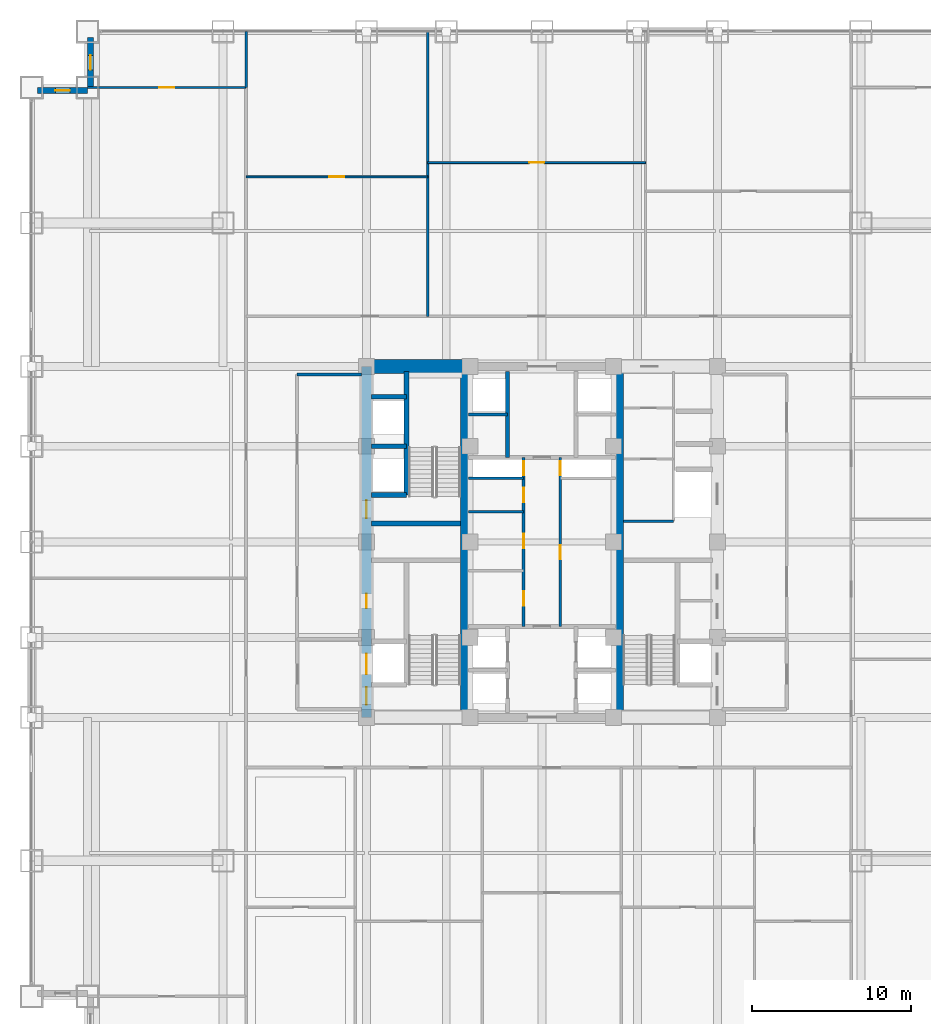
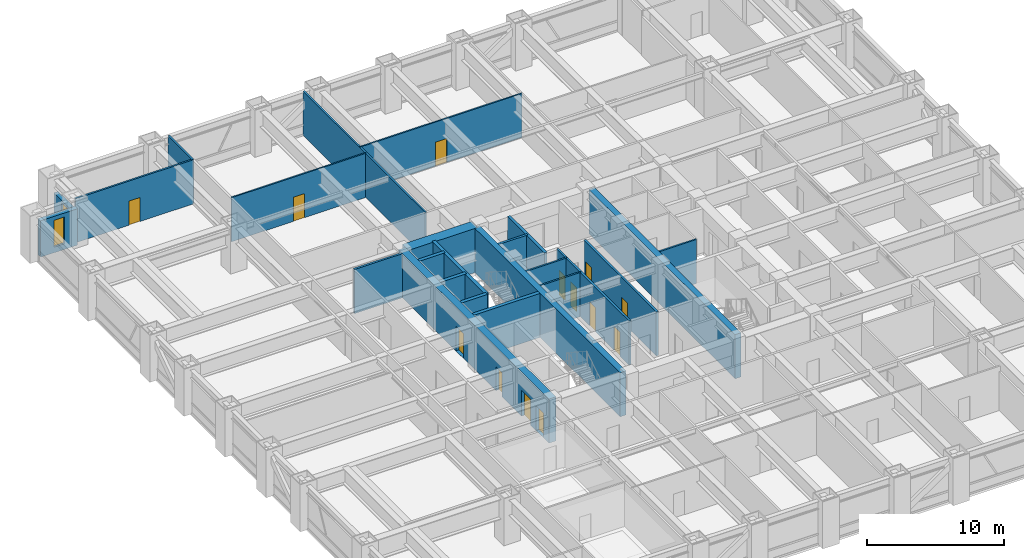
# One storey, part 25 of 29: 24 walls, 13 doors, 2 windows, 15 openings.
"""IFC4 building model written with IfcOpenShell, lengths in metres."""

from ifc_helpers import new_model, si_unit, direction, frame, frame_2d, origin, place, context, subcontext, project, spatial, rectangle, extrude, source, transform, mapped, material, layer, layer_set, type_object, element, fill, save


model = new_model("IFC4")

# Units and contexts
model_context = context("Model", 3, precision=1e-05, world=origin(), true_north=direction((0.0, 1.0)))
body_context = subcontext(model_context, "Body", "Model", "MODEL_VIEW")
ifc_project = project(units=[si_unit("LENGTHUNIT", "METRE"), si_unit("AREAUNIT", "SQUARE_METRE"), si_unit("VOLUMEUNIT", "CUBIC_METRE"), si_unit("PLANEANGLEUNIT", "RADIAN"), si_unit("MASSUNIT", "GRAM", prefix="KILO")], contexts=[model_context])

# Site, building, storey
site_placement = place(None, origin())
site = spatial("IfcSite", under=ifc_project, at=site_placement, CompositionType="ELEMENT")
building_placement = place(site_placement, origin())
building = spatial("IfcBuilding", under=site, at=building_placement, Name="Khorayat Bourse Tower", CompositionType="ELEMENT")
storey_placement = place(building_placement, frame((0.0, 0.0, 87.199951171875)))
storey = spatial("IfcBuildingStorey", under=building, at=storey_placement, Name="L19", CompositionType="ELEMENT", Elevation=87.199951171875)

# Wall, openings, doors
ifc_material_1 = material(Name="Concrete C60/75", Category="concrete")
ifc_layer_1 = layer(ifc_material_1, 0.60009765625)
ifc_layer_set_1 = layer_set([ifc_layer_1], Name="Concrete C60/75")
wall_type_1 = type_object("IfcWallType", Name="WAL-CORE-600", PredefinedType="SHEAR", material=ifc_layer_set_1)
shared_shape_1 = source(origin(), body_context, "Body", "SweptSolid", [
    extrude(rectangle(XDim=22.0, YDim=0.60009765625, at=frame_2d((11.0, 0.0))), origin(), (0.0, 0.0, 1.0), 3.93994140625),
])
wall_1_placement = place(storey_placement, frame((-11.0, -11.0, 0.0), z_axis=(0.0, 0.0, 1.0), x_axis=(0.0, 1.0, 0.0)))
wall_1 = element("IfcWall", 1, at=wall_1_placement, inside=storey, type_object=wall_type_1, Name="L19 Core Shear Wall CORE-W", PredefinedType="SHEAR", context=body_context, shape_type="MappedRepresentation", body=[
    mapped(shared_shape_1, transform((0.0, 0.0, 0.0), scale=1.0)),
])
shared_shape_2 = source(origin(), body_context, "Body", "SweptSolid", [
    extrude(rectangle(XDim=1.10009765625, YDim=2.199951171875, at=frame_2d((0.550048828125, 1.10009765625))), frame((0.0, 0.31005859375, 0.0), z_axis=(0.0, -1.0, 0.0), x_axis=(1.0, 0.0, 0.0)), (0.0, 0.0, 1.0), 0.6201171875),
])
opening_1_placement = place(wall_1_placement, frame((0.800048828125, 0.0, 0.0)))
opening_1 = element("IfcOpeningElement", 2, at=opening_1_placement, cuts=wall_1, Name="Opening DI-01", PredefinedType="OPENING", context=body_context, shape_type="MappedRepresentation", body=[
    mapped(shared_shape_2, transform((0.0, 0.0, 0.0), scale=1.0)),
])
opening_2_placement = place(wall_1_placement, frame((12.5, 0.0, 0.0)))
opening_2 = element("IfcOpeningElement", 3, at=opening_2_placement, cuts=wall_1, Name="Opening DI-01", PredefinedType="OPENING", context=body_context, shape_type="MappedRepresentation", body=[
    mapped(shared_shape_2, transform((0.0, 0.0, 0.0), scale=1.0)),
])
shared_shape_3 = source(origin(), body_context, "Body", "SweptSolid", [
    extrude(rectangle(XDim=0.89990234375, YDim=2.14990234375, at=frame_2d((0.449951171875, 1.074951171875))), frame((0.0, 0.31005859375, 0.0), z_axis=(0.0, -1.0, 0.0), x_axis=(1.0, 0.0, 0.0)), (0.0, 0.0, 1.0), 0.6201171875),
])
opening_3_placement = place(wall_1_placement, frame((6.85009765625, 0.0, 0.0)))
opening_3 = element("IfcOpeningElement", 4, at=opening_3_placement, cuts=wall_1, Name="Opening DI-06", PredefinedType="OPENING", context=body_context, shape_type="MappedRepresentation", body=[
    mapped(shared_shape_3, transform((0.0, 0.0, 0.0), scale=1.0)),
])
shared_shape_4 = source(origin(), body_context, "Body", "SweptSolid", [
    extrude(rectangle(XDim=1.300048828125, YDim=2.300048828125, at=frame_2d((0.64990234375, 1.14990234375))), frame((0.0, 0.31005859375, 0.0), z_axis=(0.0, -1.0, 0.0), x_axis=(1.0, 0.0, 0.0)), (0.0, 0.0, 1.0), 0.6201171875),
])
opening_4_placement = place(wall_1_placement, frame((2.699951171875, 0.0, 0.0)))
opening_4 = element("IfcOpeningElement", 5, at=opening_4_placement, cuts=wall_1, Name="Opening LD-02", PredefinedType="OPENING", context=body_context, shape_type="MappedRepresentation", body=[
    mapped(shared_shape_4, transform((0.0, 0.0, 0.0), scale=1.0)),
])
ifc_material_2 = material(Name="Fire-rated steel acoustic leaf", Category="steel")
door_type_1 = type_object("IfcDoorType", Name="DR-INT-STAIR-1100", OperationType="NOTDEFINED", PredefinedType="DOOR", material=ifc_material_2)
shared_shape_5 = source(origin(), body_context, "Body", "SweptSolid", [
    extrude(rectangle(XDim=1.10009765625, YDim=2.199951171875, at=frame_2d((0.550048828125, 1.10009765625))), frame((0.0, 0.02490234375, 0.0), z_axis=(0.0, -1.0, 0.0), x_axis=(1.0, 0.0, 0.0)), (0.0, 0.0, 1.0), 0.050048828125),
])
door_1_placement = place(opening_1_placement, origin())
door_1 = element("IfcDoor", 6, at=door_1_placement, inside=storey, type_object=door_type_1, Name="L19 Exit Stair 1 Door", OperationType="SINGLE_SWING_RIGHT", OverallHeight=2.199951171875, OverallWidth=1.10009765625, PredefinedType="DOOR", context=body_context, shape_type="MappedRepresentation", body=[
    mapped(shared_shape_5, transform((0.0, 0.0, 0.0), scale=1.0)),
])
fill(opening_1, door_1)
door_2_placement = place(opening_2_placement, origin())
door_2 = element("IfcDoor", 7, at=door_2_placement, inside=storey, type_object=door_type_1, Name="L19 Exit Stair 2 Door", OperationType="SINGLE_SWING_RIGHT", OverallHeight=2.199951171875, OverallWidth=1.10009765625, PredefinedType="DOOR", context=body_context, shape_type="MappedRepresentation", body=[
    mapped(shared_shape_5, transform((0.0, 0.0, 0.0), scale=1.0)),
])
fill(opening_2, door_2)
ifc_material_3 = material(Name="Moisture-resistant laminate washroom door")
door_type_2 = type_object("IfcDoorType", Name="DR-INT-WC-900", OperationType="NOTDEFINED", PredefinedType="DOOR", material=ifc_material_3)
shared_shape_6 = source(origin(), body_context, "Body", "SweptSolid", [
    extrude(rectangle(XDim=0.89990234375, YDim=2.14990234375, at=frame_2d((0.449951171875, 1.074951171875))), frame((0.0, 0.02490234375, 0.0), z_axis=(0.0, -1.0, 0.0), x_axis=(1.0, 0.0, 0.0)), (0.0, 0.0, 1.0), 0.050048828125),
])
door_3_placement = place(opening_3_placement, origin())
door_3 = element("IfcDoor", 8, at=door_3_placement, inside=storey, type_object=door_type_2, Name="L19 Electrical Switch Plant Room Door", OperationType="SINGLE_SWING_RIGHT", OverallHeight=2.14990234375, OverallWidth=0.89990234375, PredefinedType="DOOR", context=body_context, shape_type="MappedRepresentation", body=[
    mapped(shared_shape_6, transform((0.0, 0.0, 0.0), scale=1.0)),
])
fill(opening_3, door_3)
ifc_material_4 = material(Name="Fire-rated stainless-steel sliding landing door", Category="steel")
door_type_3 = type_object("IfcDoorType", Name="DR-LIFT-FF-1300", OperationType="NOTDEFINED", PredefinedType="DOOR", material=ifc_material_4)
shared_shape_7 = source(origin(), body_context, "Body", "SweptSolid", [
    extrude(rectangle(XDim=1.300048828125, YDim=2.300048828125, at=frame_2d((0.64990234375, 1.14990234375))), frame((0.0, 0.02490234375, 0.0), z_axis=(0.0, -1.0, 0.0), x_axis=(1.0, 0.0, 0.0)), (0.0, 0.0, 1.0), 0.050048828125),
])
door_4_placement = place(opening_4_placement, origin())
door_4 = element("IfcDoor", 9, at=door_4_placement, inside=storey, type_object=door_type_3, Name="L19 Lift FFL-01 Sliding Landing Door", OperationType="SLIDING_TO_LEFT", OverallHeight=2.300048828125, OverallWidth=1.300048828125, PredefinedType="DOOR", context=body_context, shape_type="MappedRepresentation", body=[
    mapped(shared_shape_7, transform((0.0, 0.0, 0.0), scale=1.0)),
])
fill(opening_4, door_4)

# Walls
ifc_material_5 = material(Name="Concrete C52/65", Category="concrete")
ifc_layer_2 = layer(ifc_material_5, 0.5)
ifc_layer_set_2 = layer_set([ifc_layer_2], Name="Concrete C52/65")
wall_type_2 = type_object("IfcWallType", Name="WAL-CORE-500", PredefinedType="SHEAR", material=ifc_layer_set_2)
shared_shape_8 = source(origin(), body_context, "Body", "SweptSolid", [
    extrude(rectangle(XDim=21.39990234375, YDim=0.5, at=frame_2d((10.699951171875, 0.0))), origin(), (0.0, 0.0, 1.0), 3.93994140625),
])
for number, where, z_axis, x_axis, name in (
    (10, (-4.85009765625, -10.699951171875, 0.0), (0.0, 0.0, 1.0), (0.0, 1.0, 0.0), "L19 Core Shear Wall PIER-W"),
    (11, (4.85009765625, -10.699951171875, 0.0), (0.0, 0.0, 1.0), (0.0, 1.0, 0.0), "L19 Core Shear Wall PIER-E"),
):
    element("IfcWall", number, at=place(storey_placement, frame(where, z_axis=z_axis, x_axis=x_axis)), inside=storey, type_object=wall_type_2, Name=name, PredefinedType="SHEAR", context=body_context, shape_type="MappedRepresentation", body=[
        mapped(shared_shape_8, transform((0.0, 0.0, 0.0), scale=1.0)),
    ])
ifc_material_6 = material(Name="Concrete C72/90", Category="concrete")
ifc_layer_3 = layer(ifc_material_6, 0.89990234375)
ifc_layer_set_3 = layer_set([ifc_layer_3], Name="Concrete C72/90")
wall_type_3 = type_object("IfcWallType", Name="WAL-CORE-900", PredefinedType="SHEAR", material=ifc_layer_set_3)
shared_shape_9 = source(origin(), body_context, "Body", "SweptSolid", [
    extrude(rectangle(XDim=5.849853515625, YDim=0.89990234375, at=frame_2d((2.9248046875, 0.0))), origin(), (0.0, 0.0, 1.0), 3.93994140625),
])
wall_2_placement = place(storey_placement, frame((-10.699951171875, 11.0, 0.0), z_axis=(0.0, 0.0, 1.0), x_axis=(1.0, 0.0, 0.0)))
element("IfcWall", 12, at=wall_2_placement, inside=storey, type_object=wall_type_3, Name="L19 Core Shear Wall PIER-WN", PredefinedType="SHEAR", context=body_context, shape_type="MappedRepresentation", body=[
    mapped(shared_shape_9, transform((0.0, 0.0, 0.0), scale=1.0)),
])
ifc_material_7 = material(Name="Concrete C50/60", Category="concrete")
ifc_layer_4 = layer(ifc_material_7, 0.300048828125)
ifc_layer_set_4 = layer_set([ifc_layer_4], Name="Concrete C50/60")
wall_type_4 = type_object("IfcWallType", Name="WAL-SHAFT-300", PredefinedType="SHEAR", material=ifc_layer_set_4)
shared_shape_10 = source(origin(), body_context, "Body", "SweptSolid", [
    extrude(rectangle(XDim=5.599853515625, YDim=0.300048828125, at=frame_2d((2.7998046875, 0.0))), origin(), (0.0, 0.0, 1.0), 3.93994140625),
])
wall_3_placement = place(storey_placement, frame((-10.699951171875, 1.14990234375, 0.0), z_axis=(0.0, 0.0, 1.0), x_axis=(1.0, 0.0, 0.0)))
element("IfcWall", 13, at=wall_3_placement, inside=storey, type_object=wall_type_4, Name="L19 Core Shear Wall ST2-DIV", PredefinedType="SHEAR", context=body_context, shape_type="MappedRepresentation", body=[
    mapped(shared_shape_10, transform((0.0, 0.0, 0.0), scale=1.0)),
])

# Wall, opening, window
ifc_material_8 = material(Name="Precast concrete C45/55", Category="concrete")
ifc_layer_5 = layer(ifc_material_8, 0.3798828125)
ifc_layer_set_5 = layer_set([ifc_layer_5], Name="Precast concrete C45/55")
wall_type_5 = type_object("IfcWallType", Name="WAL-EXT-STONE-380", PredefinedType="STANDARD", material=ifc_layer_set_5)
shared_shape_11 = source(origin(), body_context, "Body", "SweptSolid", [
    extrude(rectangle(XDim=3.1201171875, YDim=0.3798828125, at=frame_2d((1.56005859375, 0.0))), origin(), (0.0, 0.0, 1.0), 3.2451171875),
])
wall_4_placement = place(storey_placement, frame((-28.5, 28.31005859375, 0.0), z_axis=(0.0, 0.0, 1.0), x_axis=(-1.0, 0.0, 0.0)))
wall_4 = element("IfcWall", 14, at=wall_4_placement, inside=storey, type_object=wall_type_5, Name="L19 Re-Entrant Notch Limestone Wall NW-H", PredefinedType="STANDARD", context=body_context, shape_type="MappedRepresentation", body=[
    mapped(shared_shape_11, transform((0.0, 0.0, 0.0), scale=1.0)),
])
shared_shape_12 = source(origin(), body_context, "Body", "SweptSolid", [
    extrude(rectangle(XDim=0.89990234375, YDim=2.39990234375, at=frame_2d((0.449951171875, 1.199951171875))), frame((0.0, 0.199951171875, 0.0), z_axis=(0.0, -1.0, 0.0), x_axis=(1.0, 0.0, 0.0)), (0.0, 0.0, 1.0), 0.39990234375),
])
opening_5_placement = place(wall_4_placement, frame((1.110107421875, 0.0, 0.5)))
opening_5 = element("IfcOpeningElement", 15, at=opening_5_placement, cuts=wall_4, Name="Opening WN-03", PredefinedType="OPENING", context=body_context, shape_type="MappedRepresentation", body=[
    mapped(shared_shape_12, transform((0.0, 0.0, 0.0), scale=1.0)),
])
ifc_material_9 = material(Name="Deep-reveal solar-control double glazing", Category="glass")
window_type = type_object("IfcWindowType", Name="WIN-SLOT-900x2400", PartitioningType="SINGLE_PANEL", PredefinedType="WINDOW", material=ifc_material_9)
shared_shape_13 = source(origin(), body_context, "Body", "SweptSolid", [
    extrude(rectangle(XDim=0.89990234375, YDim=2.39990234375, at=frame_2d((0.449951171875, 1.199951171875))), frame((0.0, 0.030029296875, 0.0), z_axis=(0.0, -1.0, 0.0), x_axis=(1.0, 0.0, 0.0)), (0.0, 0.0, 1.0), 0.06005859375),
])
window_1_placement = place(opening_5_placement, origin())
window_1 = element("IfcWindow", 16, at=window_1_placement, inside=storey, type_object=window_type, Name="L19 Facade Window 1", OverallHeight=2.39990234375, OverallWidth=0.89990234375, PartitioningType="SINGLE_PANEL", PredefinedType="WINDOW", context=body_context, shape_type="MappedRepresentation", body=[
    mapped(shared_shape_13, transform((0.0, 0.0, 0.0), scale=1.0)),
])
fill(opening_5, window_1)

shared_shape_14 = source(origin(), body_context, "Body", "SweptSolid", [
    extrude(rectangle(XDim=3.1201171875, YDim=0.3798828125, at=frame_2d((1.56005859375, 0.0))), origin(), (0.0, 0.0, 1.0), 2.5400390625),
])
wall_5_placement = place(storey_placement, frame((-28.31005859375, 28.5, 0.0), z_axis=(0.0, 0.0, 1.0), x_axis=(0.0, 1.0, 0.0)))
wall_5 = element("IfcWall", 17, at=wall_5_placement, inside=storey, type_object=wall_type_5, Name="L19 Re-Entrant Notch Limestone Wall NW-V", PredefinedType="STANDARD", context=body_context, shape_type="MappedRepresentation", body=[
    mapped(shared_shape_14, transform((0.0, 0.0, 0.0), scale=1.0)),
])
shared_shape_15 = source(origin(), body_context, "Body", "SweptSolid", [
    extrude(rectangle(XDim=0.89990234375, YDim=1.820068359375, at=frame_2d((0.449951171875, 0.91015625))), frame((0.0, 0.199951171875, 0.0), z_axis=(0.0, -1.0, 0.0), x_axis=(1.0, 0.0, 0.0)), (0.0, 0.0, 1.0), 0.39990234375),
])
opening_6_placement = place(wall_5_placement, frame((1.110107421875, 0.0, 0.5)))
opening_6 = element("IfcOpeningElement", 18, at=opening_6_placement, cuts=wall_5, Name="Opening WN-03", PredefinedType="OPENING", context=body_context, shape_type="MappedRepresentation", body=[
    mapped(shared_shape_15, transform((0.0, 0.0, 0.0), scale=1.0)),
])
shared_shape_16 = source(origin(), body_context, "Body", "SweptSolid", [
    extrude(rectangle(XDim=0.89990234375, YDim=1.820068359375, at=frame_2d((0.449951171875, 0.91015625))), frame((0.0, 0.030029296875, 0.0), z_axis=(0.0, -1.0, 0.0), x_axis=(1.0, 0.0, 0.0)), (0.0, 0.0, 1.0), 0.06005859375),
])
window_2_placement = place(opening_6_placement, origin())
window_2 = element("IfcWindow", 19, at=window_2_placement, inside=storey, type_object=window_type, Name="L19 Facade Window 1", OverallHeight=1.820068359375, OverallWidth=0.89990234375, PartitioningType="SINGLE_PANEL", PredefinedType="WINDOW", context=body_context, shape_type="MappedRepresentation", body=[
    mapped(shared_shape_16, transform((0.0, 0.0, 0.0), scale=1.0)),
])
fill(opening_6, window_2)

# Walls
shared_shape_17 = source(origin(), body_context, "Body", "SweptSolid", [
    extrude(rectangle(XDim=2.199951171875, YDim=0.300048828125, at=frame_2d((1.10009765625, 0.0))), origin(), (0.0, 0.0, 1.0), 3.93994140625),
])
for number, where, z_axis, x_axis, name in (
    (20, (-10.699951171875, 2.949951171875, 0.0), (0.0, 0.0, 1.0), (1.0, 0.0, 0.0), "L19 Partition WAL-L19-WPIER-H1S"),
    (21, (-10.699951171875, 6.0, 0.0), (0.0, 0.0, 1.0), (1.0, 0.0, 0.0), "L19 Partition WAL-L19-WPIER-H12"),
    (22, (-10.699951171875, 9.10009765625, 0.0), (0.0, 0.0, 1.0), (1.0, 0.0, 0.0), "L19 Partition WAL-L19-WPIER-H2N"),
):
    element("IfcWall", number, at=place(storey_placement, frame(where, z_axis=z_axis, x_axis=x_axis)), inside=storey, type_object=wall_type_4, Name=name, PredefinedType="SHEAR", context=body_context, shape_type="MappedRepresentation", body=[
        mapped(shared_shape_17, transform((0.0, 0.0, 0.0), scale=1.0)),
    ])
shared_shape_18 = source(origin(), body_context, "Body", "SweptSolid", [
    extrude(rectangle(XDim=7.75, YDim=0.300048828125, at=frame_2d((3.875, 0.0))), origin(), (0.0, 0.0, 1.0), 3.93994140625),
])
wall_6_placement = place(storey_placement, frame((-8.5, 2.949951171875, 0.0), z_axis=(0.0, 0.0, 1.0), x_axis=(0.0, 1.0, 0.0)))
element("IfcWall", 23, at=wall_6_placement, inside=storey, type_object=wall_type_4, Name="L19 Partition WAL-L19-WPIER-ST2S", PredefinedType="SHEAR", context=body_context, shape_type="MappedRepresentation", body=[
    mapped(shared_shape_18, transform((0.0, 0.0, 0.0), scale=1.0)),
])
ifc_material_10 = material(Name="Moisture-resistant masonry partition", Category="masonry")
ifc_layer_6 = layer(ifc_material_10, 0.139892578125)
ifc_layer_set_6 = layer_set([ifc_layer_6], Name="Moisture-resistant masonry partition")
wall_type_6 = type_object("IfcWallType", Name="WAL-PART-WET-140", PredefinedType="PARTITIONING", material=ifc_layer_set_6)
shared_shape_19 = source(origin(), body_context, "Body", "SweptSolid", [
    extrude(rectangle(XDim=3.14990234375, YDim=0.139892578125, at=frame_2d((1.574951171875, 0.0))), origin(), (0.0, 0.0, 1.0), 3.93994140625),
])
wall_7_placement = place(storey_placement, frame((5.10009765625, 1.300048828125, 0.0), z_axis=(0.0, 0.0, 1.0), x_axis=(1.0, 0.0, 0.0)))
element("IfcWall", 24, at=wall_7_placement, inside=storey, type_object=wall_type_6, Name="L19 Partition WAL-L19-ECORE-S", PredefinedType="PARTITIONING", context=body_context, shape_type="MappedRepresentation", body=[
    mapped(shared_shape_19, transform((0.0, 0.0, 0.0), scale=1.0)),
])
ifc_material_11 = material(Name="Gypsum plasterboard acoustic stud wall")
ifc_layer_7 = layer(ifc_material_11, 0.179931640625)
ifc_layer_set_7 = layer_set([ifc_layer_7], Name="Gypsum plasterboard acoustic stud wall")
wall_type_7 = type_object("IfcWallType", Name="WAL-PART-CORR-180", PredefinedType="PARTITIONING", material=ifc_layer_set_7)
shared_shape_20 = source(origin(), body_context, "Body", "SweptSolid", [
    extrude(rectangle(XDim=4.050048828125, YDim=0.179931640625, at=frame_2d((2.02490234375, 0.0))), origin(), (0.0, 0.0, 1.0), 3.93994140625),
])
wall_8_placement = place(storey_placement, frame((-15.35009765625, 10.5, 0.0), z_axis=(0.0, 0.0, 1.0), x_axis=(1.0, 0.0, 0.0)))
element("IfcWall", 25, at=wall_8_placement, inside=storey, type_object=wall_type_7, Name="L19 Partition WAL-L19-WLOB-N", PredefinedType="PARTITIONING", context=body_context, shape_type="MappedRepresentation", body=[
    mapped(shared_shape_20, transform((0.0, 0.0, 0.0), scale=1.0)),
])
ifc_material_12 = material(Name="Gypsum plasterboard twin-frame partition")
ifc_layer_8 = layer(ifc_material_12, 0.14990234375)
ifc_layer_set_8 = layer_set([ifc_layer_8], Name="Gypsum plasterboard twin-frame partition")
wall_type_8 = type_object("IfcWallType", Name="WAL-PART-SUITE-150", PredefinedType="PARTITIONING", material=ifc_layer_set_8)
shared_shape_21 = source(origin(), body_context, "Body", "SweptSolid", [
    extrude(rectangle(XDim=3.4501953125, YDim=0.14990234375, at=frame_2d((1.72509765625, 0.0))), origin(), (0.0, 0.0, 1.0), 3.93994140625),
])
wall_9_placement = place(storey_placement, frame((-4.60009765625, 4.0, 0.0), z_axis=(0.0, 0.0, 1.0), x_axis=(1.0, 0.0, 0.0)))
element("IfcWall", 26, at=wall_9_placement, inside=storey, type_object=wall_type_8, Name="L19 Partition WAL-L19-CRSW-S", PredefinedType="PARTITIONING", context=body_context, shape_type="MappedRepresentation", body=[
    mapped(shared_shape_21, transform((0.0, 0.0, 0.0), scale=1.0)),
])
shared_shape_22 = source(origin(), body_context, "Body", "SweptSolid", [
    extrude(rectangle(XDim=5.39990234375, YDim=0.25, at=frame_2d((2.699951171875, 0.0))), origin(), (0.0, 0.0, 1.0), 3.93994140625),
])
wall_10_placement = place(storey_placement, frame((-2.14990234375, 5.300048828125, 0.0), z_axis=(0.0, 0.0, 1.0), x_axis=(0.0, 1.0, 0.0)))
element("IfcWall", 27, at=wall_10_placement, inside=storey, type_object=wall_type_4, Name="L19 Partition WAL-L19-B2-W", PredefinedType="SHEAR", context=body_context, shape_type="MappedRepresentation", body=[
    mapped(shared_shape_22, transform((0.0, 0.0, 0.0), scale=1.0)),
])
shared_shape_23 = source(origin(), body_context, "Body", "SweptSolid", [
    extrude(rectangle(XDim=2.4501953125, YDim=0.199951171875, at=frame_2d((1.22509765625, 0.0))), origin(), (0.0, 0.0, 1.0), 3.93994140625),
])
wall_11_placement = place(storey_placement, frame((-4.60009765625, 8.0, 0.0), z_axis=(0.0, 0.0, 1.0), x_axis=(1.0, 0.0, 0.0)))
element("IfcWall", 28, at=wall_11_placement, inside=storey, type_object=wall_type_4, Name="L19 Partition WAL-L19-B2-MW", PredefinedType="SHEAR", context=body_context, shape_type="MappedRepresentation", body=[
    mapped(shared_shape_23, transform((0.0, 0.0, 0.0), scale=1.0)),
])
shared_shape_24 = source(origin(), body_context, "Body", "SweptSolid", [
    extrude(rectangle(XDim=3.4501953125, YDim=0.139892578125, at=frame_2d((1.72509765625, 0.0))), origin(), (0.0, 0.0, 1.0), 3.93994140625),
])
wall_12_placement = place(storey_placement, frame((-4.60009765625, 1.89990234375, 0.0), z_axis=(0.0, 0.0, 1.0), x_axis=(1.0, 0.0, 0.0)))
element("IfcWall", 29, at=wall_12_placement, inside=storey, type_object=wall_type_6, Name="L19 Partition WAL-L19-CMW-D2", PredefinedType="PARTITIONING", context=body_context, shape_type="MappedRepresentation", body=[
    mapped(shared_shape_24, transform((0.0, 0.0, 0.0), scale=1.0)),
])

# Wall, openings, doors
shared_shape_25 = source(origin(), body_context, "Body", "SweptSolid", [
    extrude(rectangle(XDim=10.60009765625, YDim=0.179931640625, at=frame_2d((5.300048828125, 0.0))), origin(), (0.0, 0.0, 1.0), 3.93994140625),
])
wall_13_placement = place(storey_placement, frame((-1.14990234375, -5.300048828125, 0.0), z_axis=(0.0, 0.0, 1.0), x_axis=(0.0, 1.0, 0.0)))
wall_13 = element("IfcWall", 30, at=wall_13_placement, inside=storey, type_object=wall_type_7, Name="L19 Partition WAL-L19-CMW-L", PredefinedType="PARTITIONING", context=body_context, shape_type="MappedRepresentation", body=[
    mapped(shared_shape_25, transform((0.0, 0.0, 0.0), scale=1.0)),
])
shared_shape_26 = source(origin(), body_context, "Body", "SweptSolid", [
    extrude(rectangle(XDim=0.89990234375, YDim=2.14990234375, at=frame_2d((0.449951171875, 1.074951171875))), frame((0.0, 0.099853515625, 0.0), z_axis=(0.0, -1.0, 0.0), x_axis=(1.0, 0.0, 0.0)), (0.0, 0.0, 1.0), 0.199951171875),
])
opening_7_placement = place(wall_13_placement, frame((1.300048828125, 0.0, 0.0)))
opening_7 = element("IfcOpeningElement", 31, at=opening_7_placement, cuts=wall_13, Name="Opening DI-06", PredefinedType="OPENING", context=body_context, shape_type="MappedRepresentation", body=[
    mapped(shared_shape_26, transform((0.0, 0.0, 0.0), scale=1.0)),
])
opening_8_placement = place(wall_13_placement, frame((4.89990234375, 0.0, 0.0)))
opening_8 = element("IfcOpeningElement", 32, at=opening_8_placement, cuts=wall_13, Name="Opening DI-06", PredefinedType="OPENING", context=body_context, shape_type="MappedRepresentation", body=[
    mapped(shared_shape_26, transform((0.0, 0.0, 0.0), scale=1.0)),
])
opening_9_placement = place(wall_13_placement, frame((7.800048828125, 0.0, 0.0)))
opening_9 = element("IfcOpeningElement", 33, at=opening_9_placement, cuts=wall_13, Name="Opening DI-06", PredefinedType="OPENING", context=body_context, shape_type="MappedRepresentation", body=[
    mapped(shared_shape_26, transform((0.0, 0.0, 0.0), scale=1.0)),
])
opening_10_placement = place(wall_13_placement, frame((9.47509765625, 0.0, 0.0)))
opening_10 = element("IfcOpeningElement", 34, at=opening_10_placement, cuts=wall_13, Name="Opening DI-06", PredefinedType="OPENING", context=body_context, shape_type="MappedRepresentation", body=[
    mapped(shared_shape_26, transform((0.0, 0.0, 0.0), scale=1.0)),
])
door_5_placement = place(opening_7_placement, origin())
door_5 = element("IfcDoor", 35, at=door_5_placement, inside=storey, type_object=door_type_2, Name="L19 Male Core Washroom Door", OperationType="SINGLE_SWING_RIGHT", OverallHeight=2.14990234375, OverallWidth=0.89990234375, PredefinedType="DOOR", context=body_context, shape_type="MappedRepresentation", body=[
    mapped(shared_shape_6, transform((0.0, 0.0, 0.0), scale=1.0)),
])
fill(opening_7, door_5)
door_6_placement = place(opening_8_placement, origin())
door_6 = element("IfcDoor", 36, at=door_6_placement, inside=storey, type_object=door_type_2, Name="L19 AHU Fan Plant Room Door", OperationType="SINGLE_SWING_LEFT", OverallHeight=2.14990234375, OverallWidth=0.89990234375, PredefinedType="DOOR", context=body_context, shape_type="MappedRepresentation", body=[
    mapped(shared_shape_6, transform((0.0, 0.0, 0.0), scale=1.0)),
])
fill(opening_8, door_6)
door_7_placement = place(opening_9_placement, origin())
door_7 = element("IfcDoor", 37, at=door_7_placement, inside=storey, type_object=door_type_2, Name="L19 Janitor Store Door", OperationType="SINGLE_SWING_RIGHT", OverallHeight=2.14990234375, OverallWidth=0.89990234375, PredefinedType="DOOR", context=body_context, shape_type="MappedRepresentation", body=[
    mapped(shared_shape_6, transform((0.0, 0.0, 0.0), scale=1.0)),
])
fill(opening_9, door_7)
door_8_placement = place(opening_10_placement, origin())
door_8 = element("IfcDoor", 38, at=door_8_placement, inside=storey, type_object=door_type_2, Name="L19 West Core Riser Door", OperationType="SINGLE_SWING_LEFT", OverallHeight=2.14990234375, OverallWidth=0.89990234375, PredefinedType="DOOR", context=body_context, shape_type="MappedRepresentation", body=[
    mapped(shared_shape_6, transform((0.0, 0.0, 0.0), scale=1.0)),
])
fill(opening_10, door_8)

wall_14_placement = place(storey_placement, frame((1.14990234375, -5.300048828125, 0.0), z_axis=(0.0, 0.0, 1.0), x_axis=(0.0, 1.0, 0.0)))
wall_14 = element("IfcWall", 39, at=wall_14_placement, inside=storey, type_object=wall_type_7, Name="L19 Partition WAL-L19-CME-L", PredefinedType="PARTITIONING", context=body_context, shape_type="MappedRepresentation", body=[
    mapped(shared_shape_25, transform((0.0, 0.0, 0.0), scale=1.0)),
])
opening_11_placement = place(wall_14_placement, frame((4.199951171875, 0.0, 0.0)))
opening_11 = element("IfcOpeningElement", 40, at=opening_11_placement, cuts=wall_14, Name="Opening DI-06", PredefinedType="OPENING", context=body_context, shape_type="MappedRepresentation", body=[
    mapped(shared_shape_26, transform((0.0, 0.0, 0.0), scale=1.0)),
])
opening_12_placement = place(wall_14_placement, frame((9.47509765625, 0.0, 0.0)))
opening_12 = element("IfcOpeningElement", 41, at=opening_12_placement, cuts=wall_14, Name="Opening DI-06", PredefinedType="OPENING", context=body_context, shape_type="MappedRepresentation", body=[
    mapped(shared_shape_26, transform((0.0, 0.0, 0.0), scale=1.0)),
])
door_9_placement = place(opening_11_placement, origin())
door_9 = element("IfcDoor", 42, at=door_9_placement, inside=storey, type_object=door_type_2, Name="L19 Female Core Washroom Door", OperationType="SINGLE_SWING_RIGHT", OverallHeight=2.14990234375, OverallWidth=0.89990234375, PredefinedType="DOOR", context=body_context, shape_type="MappedRepresentation", body=[
    mapped(shared_shape_6, transform((0.0, 0.0, 0.0), scale=1.0)),
])
fill(opening_11, door_9)
door_10_placement = place(opening_12_placement, origin())
door_10 = element("IfcDoor", 43, at=door_10_placement, inside=storey, type_object=door_type_2, Name="L19 East Core Riser Door", OperationType="SINGLE_SWING_RIGHT", OverallHeight=2.14990234375, OverallWidth=0.89990234375, PredefinedType="DOOR", context=body_context, shape_type="MappedRepresentation", body=[
    mapped(shared_shape_6, transform((0.0, 0.0, 0.0), scale=1.0)),
])
fill(opening_12, door_10)

# Wall
shared_shape_27 = source(origin(), body_context, "Body", "SweptSolid", [
    extrude(rectangle(XDim=3.5, YDim=0.14990234375, at=frame_2d((1.75, 0.0))), origin(), (0.0, 0.0, 1.0), 3.93994140625),
])
wall_15_placement = place(storey_placement, frame((-18.550048828125, 28.5, 0.0), z_axis=(0.0, 0.0, 1.0), x_axis=(0.0, 1.0, 0.0)))
element("IfcWall", 44, at=wall_15_placement, inside=storey, type_object=wall_type_8, Name="L19 Partition WAL-L19-NCW-END", PredefinedType="PARTITIONING", context=body_context, shape_type="MappedRepresentation", body=[
    mapped(shared_shape_27, transform((0.0, 0.0, 0.0), scale=1.0)),
])

# Wall, opening, door
shared_shape_28 = source(origin(), body_context, "Body", "SweptSolid", [
    extrude(rectangle(XDim=9.949951171875, YDim=0.14990234375, at=frame_2d((4.97509765625, 0.0))), origin(), (0.0, 0.0, 1.0), 3.93994140625),
])
wall_16_placement = place(storey_placement, frame((-28.5, 28.5, 0.0), z_axis=(0.0, 0.0, 1.0), x_axis=(1.0, 0.0, 0.0)))
wall_16 = element("IfcWall", 45, at=wall_16_placement, inside=storey, type_object=wall_type_8, Name="L19 Partition WAL-L19-CNW", PredefinedType="PARTITIONING", context=body_context, shape_type="MappedRepresentation", body=[
    mapped(shared_shape_28, transform((0.0, 0.0, 0.0), scale=1.0)),
])
shared_shape_29 = source(origin(), body_context, "Body", "SweptSolid", [
    extrude(rectangle(XDim=0.949951171875, YDim=2.14990234375, at=frame_2d((0.47509765625, 1.074951171875))), frame((0.0, 0.0849609375, 0.0), z_axis=(0.0, -1.0, 0.0), x_axis=(1.0, 0.0, 0.0)), (0.0, 0.0, 1.0), 0.169921875),
])
opening_13_placement = place(wall_16_placement, frame((4.5, 0.0, 0.0)))
opening_13 = element("IfcOpeningElement", 46, at=opening_13_placement, cuts=wall_16, Name="Opening DI-05", PredefinedType="OPENING", context=body_context, shape_type="MappedRepresentation", body=[
    mapped(shared_shape_29, transform((0.0, 0.0, 0.0), scale=1.0)),
])
ifc_material_13 = material(Name="Acoustic oak veneer office door")
door_type_4 = type_object("IfcDoorType", Name="DR-INT-OFFICE-950", OperationType="NOTDEFINED", PredefinedType="DOOR", material=ifc_material_13)
shared_shape_30 = source(origin(), body_context, "Body", "SweptSolid", [
    extrude(rectangle(XDim=0.949951171875, YDim=2.14990234375, at=frame_2d((0.47509765625, 1.074951171875))), frame((0.0, 0.02490234375, 0.0), z_axis=(0.0, -1.0, 0.0), x_axis=(1.0, 0.0, 0.0)), (0.0, 0.0, 1.0), 0.050048828125),
])
door_11_placement = place(opening_13_placement, origin())
door_11 = element("IfcDoor", 47, at=door_11_placement, inside=storey, type_object=door_type_4, Name="L19 North-West Corner Meeting Room Door", OperationType="SINGLE_SWING_LEFT", OverallHeight=2.14990234375, OverallWidth=0.949951171875, PredefinedType="DOOR", context=body_context, shape_type="MappedRepresentation", body=[
    mapped(shared_shape_30, transform((0.0, 0.0, 0.0), scale=1.0)),
])
fill(opening_13, door_11)

# Wall
shared_shape_31 = source(origin(), body_context, "Body", "SweptSolid", [
    extrude(rectangle(XDim=17.85009765625, YDim=0.14990234375, at=frame_2d((8.925048828125, 0.0))), origin(), (0.0, 0.0, 1.0), 3.93994140625),
])
wall_17_placement = place(storey_placement, frame((-7.1650390625, 14.14990234375, 0.0), z_axis=(0.0, 0.0, 1.0), x_axis=(0.0, 1.0, 0.0)))
element("IfcWall", 48, at=wall_17_placement, inside=storey, type_object=wall_type_8, Name="L19 Partition WAL-L19-NDV-1", PredefinedType="PARTITIONING", context=body_context, shape_type="MappedRepresentation", body=[
    mapped(shared_shape_31, transform((0.0, 0.0, 0.0), scale=1.0)),
])

# Wall, opening, door
ifc_material_14 = material(Name="Gypsum plasterboard partition")
ifc_layer_9 = layer(ifc_material_14, 0.125)
ifc_layer_set_9 = layer_set([ifc_layer_9], Name="Gypsum plasterboard partition")
wall_type_9 = type_object("IfcWallType", Name="WAL-PART-ROOM-125", PredefinedType="PARTITIONING", material=ifc_layer_set_9)
shared_shape_32 = source(origin(), body_context, "Body", "SweptSolid", [
    extrude(rectangle(XDim=11.385009765625, YDim=0.125, at=frame_2d((5.6923828125, 0.0))), origin(), (0.0, 0.0, 1.0), 3.93994140625),
])
wall_18_placement = place(storey_placement, frame((-18.550048828125, 22.896484375, 0.0), z_axis=(0.0, 0.0, 1.0), x_axis=(1.0, 0.0, 0.0)))
wall_18 = element("IfcWall", 49, at=wall_18_placement, inside=storey, type_object=wall_type_9, Name="L19 Partition WAL-L19-NDP-1", PredefinedType="PARTITIONING", context=body_context, shape_type="MappedRepresentation", body=[
    mapped(shared_shape_32, transform((0.0, 0.0, 0.0), scale=1.0)),
])
shared_shape_33 = source(origin(), body_context, "Body", "SweptSolid", [
    extrude(rectangle(XDim=0.949951171875, YDim=2.14990234375, at=frame_2d((0.47509765625, 1.074951171875))), frame((0.0, 0.072509765625, 0.0), z_axis=(0.0, -1.0, 0.0), x_axis=(1.0, 0.0, 0.0)), (0.0, 0.0, 1.0), 0.14501953125),
])
opening_14_placement = place(wall_18_placement, frame((5.217529296875, 0.0, 0.0)))
opening_14 = element("IfcOpeningElement", 50, at=opening_14_placement, cuts=wall_18, Name="Opening DI-05", PredefinedType="OPENING", context=body_context, shape_type="MappedRepresentation", body=[
    mapped(shared_shape_33, transform((0.0, 0.0, 0.0), scale=1.0)),
])
door_12_placement = place(opening_14_placement, origin())
door_12 = element("IfcDoor", 51, at=door_12_placement, inside=storey, type_object=door_type_4, Name="L19 Clearing Records Archive Store N1B Door", OperationType="SINGLE_SWING_RIGHT", OverallHeight=2.14990234375, OverallWidth=0.949951171875, PredefinedType="DOOR", context=body_context, shape_type="MappedRepresentation", body=[
    mapped(shared_shape_30, transform((0.0, 0.0, 0.0), scale=1.0)),
])
fill(opening_14, door_12)

shared_shape_34 = source(origin(), body_context, "Body", "SweptSolid", [
    extrude(rectangle(XDim=13.662109375, YDim=0.125, at=frame_2d((6.8310546875, 0.0))), origin(), (0.0, 0.0, 1.0), 3.93994140625),
])
wall_19_placement = place(storey_placement, frame((-7.1650390625, 23.7890625, 0.0), z_axis=(0.0, 0.0, 1.0), x_axis=(1.0, 0.0, 0.0)))
wall_19 = element("IfcWall", 52, at=wall_19_placement, inside=storey, type_object=wall_type_9, Name="L19 Partition WAL-L19-NDP-2", PredefinedType="PARTITIONING", context=body_context, shape_type="MappedRepresentation", body=[
    mapped(shared_shape_34, transform((0.0, 0.0, 0.0), scale=1.0)),
])
opening_15_placement = place(wall_19_placement, frame((6.35595703125, 0.0, 0.0)))
opening_15 = element("IfcOpeningElement", 53, at=opening_15_placement, cuts=wall_19, Name="Opening DI-05", PredefinedType="OPENING", context=body_context, shape_type="MappedRepresentation", body=[
    mapped(shared_shape_33, transform((0.0, 0.0, 0.0), scale=1.0)),
])
door_13_placement = place(opening_15_placement, origin())
door_13 = element("IfcDoor", 54, at=door_13_placement, inside=storey, type_object=door_type_4, Name="L19 Members Exchange Lounge N2B Door", OperationType="SINGLE_SWING_LEFT", OverallHeight=2.14990234375, OverallWidth=0.949951171875, PredefinedType="DOOR", context=body_context, shape_type="MappedRepresentation", body=[
    mapped(shared_shape_30, transform((0.0, 0.0, 0.0), scale=1.0)),
])
fill(opening_15, door_13)

save(model, "model.ifc")
